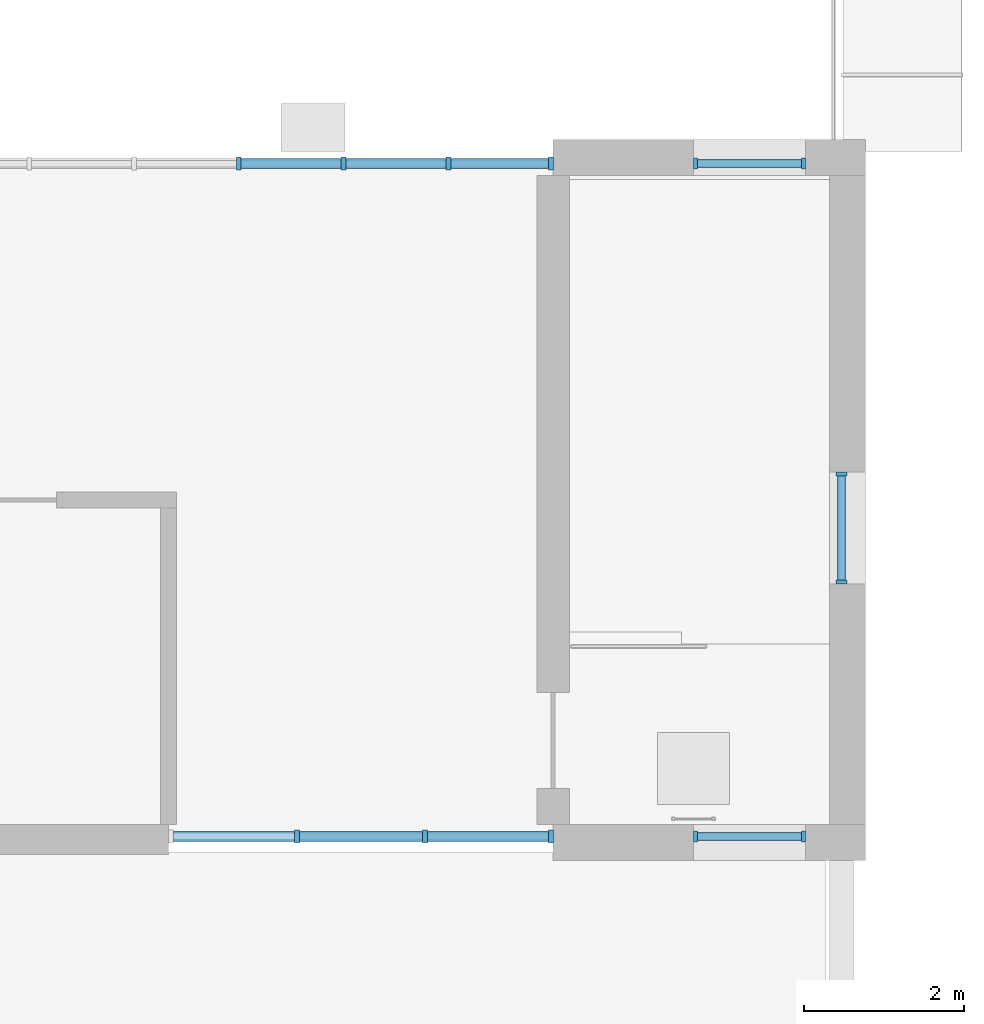
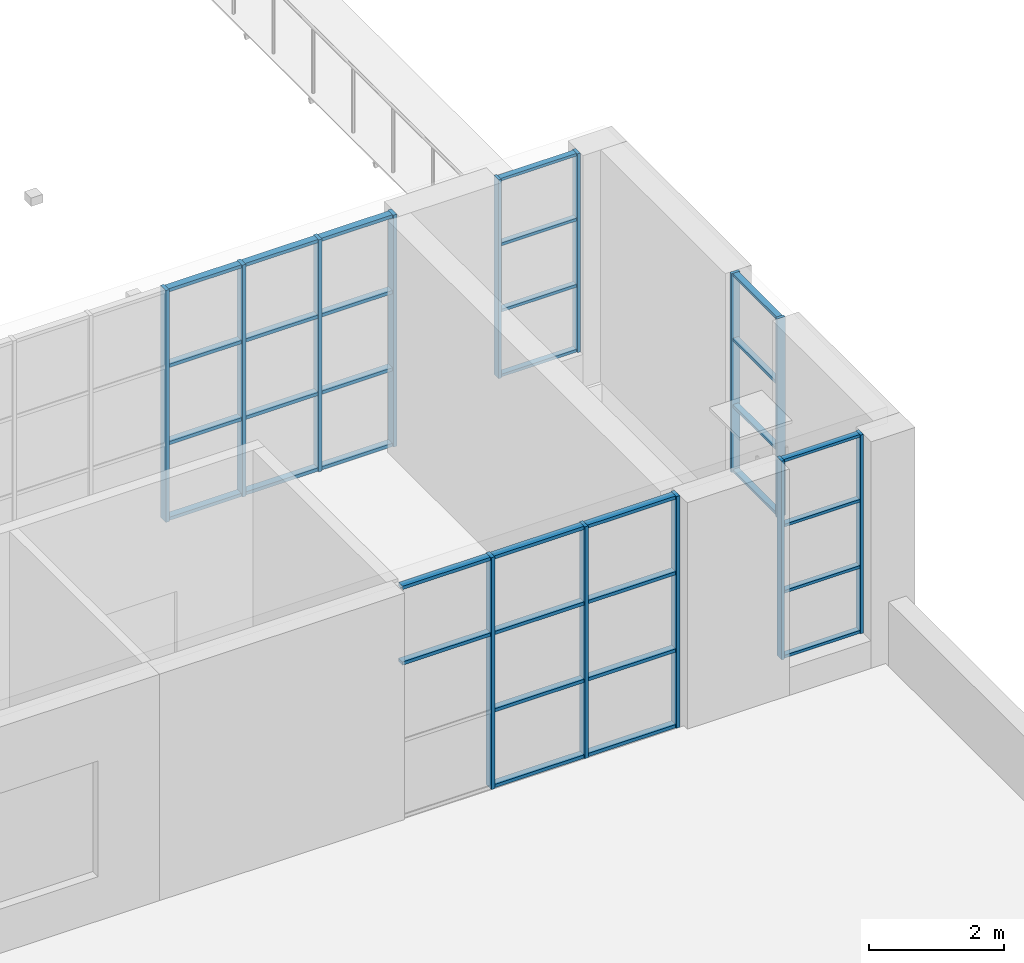
# One storey, part 23 of 66: 47 members, 5 elements without a shape of their own.
"""IFC4 building model written with IfcOpenShell, lengths in metres."""

from ifc_helpers import new_model, si_unit, direction, frame, origin, origin_2d, place, context, subcontext, project, spatial, rectangle, extrude, material, material_profile, profile_set, type_object, element, aggregate, save


model = new_model("IFC4")

# Units and contexts
model_context = context("Model", 3, precision=1e-05, world=origin(), true_north=direction((0.0, 1.0)))
body_context = subcontext(model_context, "Body", "Model", "MODEL_VIEW")
ifc_project = project(units=[si_unit("LENGTHUNIT", "METRE"), si_unit("AREAUNIT", "SQUARE_METRE"), si_unit("VOLUMEUNIT", "CUBIC_METRE"), si_unit("PLANEANGLEUNIT", "RADIAN"), si_unit("MASSUNIT", "GRAM", prefix="KILO")], contexts=[model_context])

# Site, building, storey
site_placement = place(None, origin())
site = spatial("IfcSite", under=ifc_project, at=site_placement, CompositionType="ELEMENT")
building_placement = place(site_placement, origin())
building = spatial("IfcBuilding", under=site, at=building_placement, Name="Yavir Park General Hospital", CompositionType="ELEMENT")
storey_placement = place(building_placement, frame((0.0, 0.0, 8.39990234375)))
storey = spatial("IfcBuildingStorey", under=building, at=storey_placement, Name="L02", CompositionType="ELEMENT", Elevation=8.39990234375)

# Curtain wall, members
ifc_material_1 = material(Name="Aluminium curtain wall frame with insulated glazing", Category="aluminium")
curtain_wall_type_1 = type_object("IfcCurtainWallType", Name="Helipad lobby glazing, 4200 high, 1400 module", PredefinedType="NOTDEFINED", material=ifc_material_1)
curtain_wall_1_placement = place(storey_placement, origin())
curtain_wall_1 = element("IfcCurtainWall", 1, at=curtain_wall_1_placement, inside=storey, type_object=curtain_wall_type_1, Name="CW7 L02-009", PredefinedType="NOTDEFINED")
ifc_material_2 = material(Name="Aluminium", Category="aluminium")
ifc_material_profile_1 = material_profile(ifc_material_2, rectangle(XDim=0.159912109375, YDim=0.06005859375, at=origin_2d()), Name="AL 60x160")
ifc_profile_set_1 = profile_set([ifc_material_profile_1], Name="Aluminium")
member_type_1 = type_object("IfcMemberType", Name="Helipad lobby glazing, 4200 high mullion 60 x 160", PredefinedType="MULLION", material=ifc_profile_set_1)
member_1_placement = place(storey_placement, frame((161.199951171875, 75.60009765625, 0.0), z_axis=(0.0, 0.0, 1.0), x_axis=(0.0, 1.0, 0.0)))
member_1 = element("IfcMember", 2, at=member_1_placement, type_object=member_type_1, Name="CW7 mullion 2", PredefinedType="MULLION", context=body_context, shape_type="SweptSolid", body=[
    extrude(rectangle(XDim=0.159912109375, YDim=0.06005859375, at=origin_2d()), origin(), (0.0, 0.0, 1.0), 4.2001953125),
])
member_2_placement = place(storey_placement, frame((162.800048828125, 75.60009765625, 0.0), z_axis=(0.0, 0.0, 1.0), x_axis=(0.0, 1.0, 0.0)))
member_2 = element("IfcMember", 3, at=member_2_placement, type_object=member_type_1, Name="CW7 mullion 3", PredefinedType="MULLION", context=body_context, shape_type="SweptSolid", body=[
    extrude(rectangle(XDim=0.159912109375, YDim=0.06005859375, at=origin_2d()), origin(), (0.0, 0.0, 1.0), 4.2001953125),
])
member_3_placement = place(storey_placement, frame((164.3701171875, 75.60009765625, 0.0), z_axis=(0.0, 0.0, 1.0), x_axis=(0.0, 1.0, 0.0)))
member_3 = element("IfcMember", 4, at=member_3_placement, type_object=member_type_1, Name="CW7 mullion 4", PredefinedType="MULLION", context=body_context, shape_type="SweptSolid", body=[
    extrude(rectangle(XDim=0.159912109375, YDim=0.06005859375, at=origin_2d()), origin(), (0.0, 0.0, 1.0), 4.2001953125),
])

curtain_wall_2_placement = place(storey_placement, origin())
curtain_wall_2 = element("IfcCurtainWall", 5, at=curtain_wall_2_placement, inside=storey, type_object=curtain_wall_type_1, Name="CW7 L02-012", PredefinedType="NOTDEFINED")
member_4_placement = place(storey_placement, frame((160.47509765625, 84.0, 0.0), z_axis=(0.0, 0.0, 1.0), x_axis=(0.0, 1.0, 0.0)))
member_4 = element("IfcMember", 6, at=member_4_placement, type_object=member_type_1, Name="CW7 mullion 4", PredefinedType="MULLION", context=body_context, shape_type="SweptSolid", body=[
    extrude(rectangle(XDim=0.159912109375, YDim=0.06005859375, at=origin_2d()), origin(), (0.0, 0.0, 1.0), 4.2001953125),
])
member_5_placement = place(storey_placement, frame((161.783447265625, 84.0, 0.0), z_axis=(0.0, 0.0, 1.0), x_axis=(0.0, 1.0, 0.0)))
member_5 = element("IfcMember", 7, at=member_5_placement, type_object=member_type_1, Name="CW7 mullion 5", PredefinedType="MULLION", context=body_context, shape_type="SweptSolid", body=[
    extrude(rectangle(XDim=0.159912109375, YDim=0.06005859375, at=origin_2d()), origin(), (0.0, 0.0, 1.0), 4.2001953125),
])
member_6_placement = place(storey_placement, frame((163.091552734375, 84.0, 0.0), z_axis=(0.0, 0.0, 1.0), x_axis=(0.0, 1.0, 0.0)))
member_6 = element("IfcMember", 8, at=member_6_placement, type_object=member_type_1, Name="CW7 mullion 6", PredefinedType="MULLION", context=body_context, shape_type="SweptSolid", body=[
    extrude(rectangle(XDim=0.159912109375, YDim=0.06005859375, at=origin_2d()), origin(), (0.0, 0.0, 1.0), 4.2001953125),
])
member_7_placement = place(storey_placement, frame((164.3701171875, 84.0, 0.0), z_axis=(0.0, 0.0, 1.0), x_axis=(0.0, 1.0, 0.0)))
member_7 = element("IfcMember", 9, at=member_7_placement, type_object=member_type_1, Name="CW7 mullion 7", PredefinedType="MULLION", context=body_context, shape_type="SweptSolid", body=[
    extrude(rectangle(XDim=0.159912109375, YDim=0.06005859375, at=origin_2d()), origin(), (0.0, 0.0, 1.0), 4.2001953125),
])

# Member
ifc_material_3 = material(Name="Aluminium", Category="aluminium")
ifc_material_profile_2 = material_profile(ifc_material_3, rectangle(XDim=0.1201171875, YDim=0.06005859375, at=origin_2d()), Name="AL 120x60")
ifc_profile_set_2 = profile_set([ifc_material_profile_2], Name="Aluminium")
member_type_2 = type_object("IfcMemberType", Name="Helipad lobby glazing, 4200 high transom 60 x 120", PredefinedType="MULLION", material=ifc_profile_set_2)
member_8_placement = place(storey_placement, frame((159.659912109375, 75.60009765625, 2.800048828125), z_axis=(1.0, 0.0, 0.0), x_axis=(0.0, 1.0, 0.0)))
member_8 = element("IfcMember", 10, at=member_8_placement, type_object=member_type_2, Name="CW7 transom 1.3", PredefinedType="MULLION", context=body_context, shape_type="SweptSolid", body=[
    extrude(rectangle(XDim=0.1201171875, YDim=0.06005859375, at=origin_2d()), origin(), (0.0, 0.0, 1.0), 1.510009765625),
])

member_9_placement = place(storey_placement, frame((159.659912109375, 75.60009765625, 4.170166015625), z_axis=(1.0, 0.0, 0.0), x_axis=(0.0, 1.0, 0.0)))
member_9 = element("IfcMember", 11, at=member_9_placement, type_object=member_type_2, Name="CW7 transom 1.4", PredefinedType="MULLION", context=body_context, shape_type="SweptSolid", body=[
    extrude(rectangle(XDim=0.1201171875, YDim=0.06005859375, at=origin_2d()), origin(), (0.0, 0.0, 1.0), 1.510009765625),
])

member_10_placement = place(storey_placement, frame((161.22998046875, 75.60009765625, 0.030029296875), z_axis=(1.0, 0.0, 0.0), x_axis=(0.0, 1.0, 0.0)))
member_10 = element("IfcMember", 12, at=member_10_placement, type_object=member_type_2, Name="CW7 transom 2.1", PredefinedType="MULLION", context=body_context, shape_type="SweptSolid", body=[
    extrude(rectangle(XDim=0.1201171875, YDim=0.06005859375, at=origin_2d()), origin(), (0.0, 0.0, 1.0), 1.5400390625),
])

member_11_placement = place(storey_placement, frame((161.22998046875, 75.60009765625, 1.400146484375), z_axis=(1.0, 0.0, 0.0), x_axis=(0.0, 1.0, 0.0)))
member_11 = element("IfcMember", 13, at=member_11_placement, type_object=member_type_2, Name="CW7 transom 2.2", PredefinedType="MULLION", context=body_context, shape_type="SweptSolid", body=[
    extrude(rectangle(XDim=0.1201171875, YDim=0.06005859375, at=origin_2d()), origin(), (0.0, 0.0, 1.0), 1.5400390625),
])

member_12_placement = place(storey_placement, frame((161.22998046875, 75.60009765625, 2.800048828125), z_axis=(1.0, 0.0, 0.0), x_axis=(0.0, 1.0, 0.0)))
member_12 = element("IfcMember", 14, at=member_12_placement, type_object=member_type_2, Name="CW7 transom 2.3", PredefinedType="MULLION", context=body_context, shape_type="SweptSolid", body=[
    extrude(rectangle(XDim=0.1201171875, YDim=0.06005859375, at=origin_2d()), origin(), (0.0, 0.0, 1.0), 1.5400390625),
])

member_13_placement = place(storey_placement, frame((161.22998046875, 75.60009765625, 4.170166015625), z_axis=(1.0, 0.0, 0.0), x_axis=(0.0, 1.0, 0.0)))
member_13 = element("IfcMember", 15, at=member_13_placement, type_object=member_type_2, Name="CW7 transom 2.4", PredefinedType="MULLION", context=body_context, shape_type="SweptSolid", body=[
    extrude(rectangle(XDim=0.1201171875, YDim=0.06005859375, at=origin_2d()), origin(), (0.0, 0.0, 1.0), 1.5400390625),
])

member_14_placement = place(storey_placement, frame((162.830078125, 75.60009765625, 0.030029296875), z_axis=(1.0, 0.0, 0.0), x_axis=(0.0, 1.0, 0.0)))
member_14 = element("IfcMember", 16, at=member_14_placement, type_object=member_type_2, Name="CW7 transom 3.1", PredefinedType="MULLION", context=body_context, shape_type="SweptSolid", body=[
    extrude(rectangle(XDim=0.1201171875, YDim=0.06005859375, at=origin_2d()), origin(), (0.0, 0.0, 1.0), 1.510009765625),
])

member_15_placement = place(storey_placement, frame((162.830078125, 75.60009765625, 1.400146484375), z_axis=(1.0, 0.0, 0.0), x_axis=(0.0, 1.0, 0.0)))
member_15 = element("IfcMember", 17, at=member_15_placement, type_object=member_type_2, Name="CW7 transom 3.2", PredefinedType="MULLION", context=body_context, shape_type="SweptSolid", body=[
    extrude(rectangle(XDim=0.1201171875, YDim=0.06005859375, at=origin_2d()), origin(), (0.0, 0.0, 1.0), 1.510009765625),
])

member_16_placement = place(storey_placement, frame((162.830078125, 75.60009765625, 2.800048828125), z_axis=(1.0, 0.0, 0.0), x_axis=(0.0, 1.0, 0.0)))
member_16 = element("IfcMember", 18, at=member_16_placement, type_object=member_type_2, Name="CW7 transom 3.3", PredefinedType="MULLION", context=body_context, shape_type="SweptSolid", body=[
    extrude(rectangle(XDim=0.1201171875, YDim=0.06005859375, at=origin_2d()), origin(), (0.0, 0.0, 1.0), 1.510009765625),
])

member_17_placement = place(storey_placement, frame((162.830078125, 75.60009765625, 4.170166015625), z_axis=(1.0, 0.0, 0.0), x_axis=(0.0, 1.0, 0.0)))
member_17 = element("IfcMember", 19, at=member_17_placement, type_object=member_type_2, Name="CW7 transom 3.4", PredefinedType="MULLION", context=body_context, shape_type="SweptSolid", body=[
    extrude(rectangle(XDim=0.1201171875, YDim=0.06005859375, at=origin_2d()), origin(), (0.0, 0.0, 1.0), 1.510009765625),
])

aggregate(curtain_wall_1, [member_1, member_2, member_3, member_8, member_9, member_10, member_11, member_12, member_13, member_14, member_15, member_16, member_17])

member_18_placement = place(storey_placement, frame((160.5048828125, 84.0, 0.030029296875), z_axis=(1.0, 0.0, 0.0), x_axis=(0.0, 1.0, 0.0)))
member_18 = element("IfcMember", 20, at=member_18_placement, type_object=member_type_2, Name="CW7 transom 4.1", PredefinedType="MULLION", context=body_context, shape_type="SweptSolid", body=[
    extrude(rectangle(XDim=0.1201171875, YDim=0.06005859375, at=origin_2d()), origin(), (0.0, 0.0, 1.0), 1.24853515625),
])

member_19_placement = place(storey_placement, frame((160.5048828125, 84.0, 1.400146484375), z_axis=(1.0, 0.0, 0.0), x_axis=(0.0, 1.0, 0.0)))
member_19 = element("IfcMember", 21, at=member_19_placement, type_object=member_type_2, Name="CW7 transom 4.2", PredefinedType="MULLION", context=body_context, shape_type="SweptSolid", body=[
    extrude(rectangle(XDim=0.1201171875, YDim=0.06005859375, at=origin_2d()), origin(), (0.0, 0.0, 1.0), 1.24853515625),
])

member_20_placement = place(storey_placement, frame((160.5048828125, 84.0, 2.800048828125), z_axis=(1.0, 0.0, 0.0), x_axis=(0.0, 1.0, 0.0)))
member_20 = element("IfcMember", 22, at=member_20_placement, type_object=member_type_2, Name="CW7 transom 4.3", PredefinedType="MULLION", context=body_context, shape_type="SweptSolid", body=[
    extrude(rectangle(XDim=0.1201171875, YDim=0.06005859375, at=origin_2d()), origin(), (0.0, 0.0, 1.0), 1.24853515625),
])

member_21_placement = place(storey_placement, frame((160.5048828125, 84.0, 4.170166015625), z_axis=(1.0, 0.0, 0.0), x_axis=(0.0, 1.0, 0.0)))
member_21 = element("IfcMember", 23, at=member_21_placement, type_object=member_type_2, Name="CW7 transom 4.4", PredefinedType="MULLION", context=body_context, shape_type="SweptSolid", body=[
    extrude(rectangle(XDim=0.1201171875, YDim=0.06005859375, at=origin_2d()), origin(), (0.0, 0.0, 1.0), 1.24853515625),
])

member_22_placement = place(storey_placement, frame((161.813232421875, 84.0, 0.030029296875), z_axis=(1.0, 0.0, 0.0), x_axis=(0.0, 1.0, 0.0)))
member_22 = element("IfcMember", 24, at=member_22_placement, type_object=member_type_2, Name="CW7 transom 5.1", PredefinedType="MULLION", context=body_context, shape_type="SweptSolid", body=[
    extrude(rectangle(XDim=0.1201171875, YDim=0.06005859375, at=origin_2d()), origin(), (0.0, 0.0, 1.0), 1.24853515625),
])

member_23_placement = place(storey_placement, frame((161.813232421875, 84.0, 1.400146484375), z_axis=(1.0, 0.0, 0.0), x_axis=(0.0, 1.0, 0.0)))
member_23 = element("IfcMember", 25, at=member_23_placement, type_object=member_type_2, Name="CW7 transom 5.2", PredefinedType="MULLION", context=body_context, shape_type="SweptSolid", body=[
    extrude(rectangle(XDim=0.1201171875, YDim=0.06005859375, at=origin_2d()), origin(), (0.0, 0.0, 1.0), 1.24853515625),
])

member_24_placement = place(storey_placement, frame((161.813232421875, 84.0, 2.800048828125), z_axis=(1.0, 0.0, 0.0), x_axis=(0.0, 1.0, 0.0)))
member_24 = element("IfcMember", 26, at=member_24_placement, type_object=member_type_2, Name="CW7 transom 5.3", PredefinedType="MULLION", context=body_context, shape_type="SweptSolid", body=[
    extrude(rectangle(XDim=0.1201171875, YDim=0.06005859375, at=origin_2d()), origin(), (0.0, 0.0, 1.0), 1.24853515625),
])

member_25_placement = place(storey_placement, frame((161.813232421875, 84.0, 4.170166015625), z_axis=(1.0, 0.0, 0.0), x_axis=(0.0, 1.0, 0.0)))
member_25 = element("IfcMember", 27, at=member_25_placement, type_object=member_type_2, Name="CW7 transom 5.4", PredefinedType="MULLION", context=body_context, shape_type="SweptSolid", body=[
    extrude(rectangle(XDim=0.1201171875, YDim=0.06005859375, at=origin_2d()), origin(), (0.0, 0.0, 1.0), 1.24853515625),
])

member_26_placement = place(storey_placement, frame((163.12158203125, 84.0, 0.030029296875), z_axis=(1.0, 0.0, 0.0), x_axis=(0.0, 1.0, 0.0)))
member_26 = element("IfcMember", 28, at=member_26_placement, type_object=member_type_2, Name="CW7 transom 6.1", PredefinedType="MULLION", context=body_context, shape_type="SweptSolid", body=[
    extrude(rectangle(XDim=0.1201171875, YDim=0.06005859375, at=origin_2d()), origin(), (0.0, 0.0, 1.0), 1.218505859375),
])

member_27_placement = place(storey_placement, frame((163.12158203125, 84.0, 1.400146484375), z_axis=(1.0, 0.0, 0.0), x_axis=(0.0, 1.0, 0.0)))
member_27 = element("IfcMember", 29, at=member_27_placement, type_object=member_type_2, Name="CW7 transom 6.2", PredefinedType="MULLION", context=body_context, shape_type="SweptSolid", body=[
    extrude(rectangle(XDim=0.1201171875, YDim=0.06005859375, at=origin_2d()), origin(), (0.0, 0.0, 1.0), 1.218505859375),
])

member_28_placement = place(storey_placement, frame((163.12158203125, 84.0, 2.800048828125), z_axis=(1.0, 0.0, 0.0), x_axis=(0.0, 1.0, 0.0)))
member_28 = element("IfcMember", 30, at=member_28_placement, type_object=member_type_2, Name="CW7 transom 6.3", PredefinedType="MULLION", context=body_context, shape_type="SweptSolid", body=[
    extrude(rectangle(XDim=0.1201171875, YDim=0.06005859375, at=origin_2d()), origin(), (0.0, 0.0, 1.0), 1.218505859375),
])

member_29_placement = place(storey_placement, frame((163.12158203125, 84.0, 4.170166015625), z_axis=(1.0, 0.0, 0.0), x_axis=(0.0, 1.0, 0.0)))
member_29 = element("IfcMember", 31, at=member_29_placement, type_object=member_type_2, Name="CW7 transom 6.4", PredefinedType="MULLION", context=body_context, shape_type="SweptSolid", body=[
    extrude(rectangle(XDim=0.1201171875, YDim=0.06005859375, at=origin_2d()), origin(), (0.0, 0.0, 1.0), 1.218505859375),
])

aggregate(curtain_wall_2, [member_4, member_5, member_6, member_7, member_18, member_19, member_20, member_21, member_22, member_23, member_24, member_25, member_26, member_27, member_28, member_29])

# Curtain wall, members
ifc_material_4 = material(Name="Aluminium curtain wall frame with insulated glazing", Category="aluminium")
curtain_wall_type_2 = type_object("IfcCurtainWallType", Name="Stair light slot, podium, 3600 high, 1400 module", PredefinedType="NOTDEFINED", material=ifc_material_4)
curtain_wall_3_placement = place(storey_placement, origin())
curtain_wall_3 = element("IfcCurtainWall", 32, at=curtain_wall_3_placement, inside=storey, type_object=curtain_wall_type_2, Name="CW57 L02-010", PredefinedType="NOTDEFINED")
ifc_material_5 = material(Name="Aluminium", Category="aluminium")
ifc_material_profile_3 = material_profile(ifc_material_5, rectangle(XDim=0.139892578125, YDim=0.050048828125, at=origin_2d()), Name="AL 50x140")
ifc_profile_set_3 = profile_set([ifc_material_profile_3], Name="Aluminium")
member_type_3 = type_object("IfcMemberType", Name="Stair light slot, podium, 3600 high mullion 50 x 140", PredefinedType="MULLION", material=ifc_profile_set_3)
member_30_placement = place(storey_placement, frame((166.175048828125, 75.60009765625, 0.60009765625), z_axis=(0.0, 0.0, 1.0), x_axis=(0.0, 1.0, 0.0)))
member_30 = element("IfcMember", 33, at=member_30_placement, type_object=member_type_3, Name="CW57 mullion 1", PredefinedType="MULLION", context=body_context, shape_type="SweptSolid", body=[
    extrude(rectangle(XDim=0.139892578125, YDim=0.050048828125, at=origin_2d()), origin(), (0.0, 0.0, 1.0), 3.60009765625),
])
member_31_placement = place(storey_placement, frame((167.52490234375, 75.60009765625, 0.60009765625), z_axis=(0.0, 0.0, 1.0), x_axis=(0.0, 1.0, 0.0)))
member_31 = element("IfcMember", 34, at=member_31_placement, type_object=member_type_3, Name="CW57 mullion 2", PredefinedType="MULLION", context=body_context, shape_type="SweptSolid", body=[
    extrude(rectangle(XDim=0.139892578125, YDim=0.050048828125, at=origin_2d()), origin(), (0.0, 0.0, 1.0), 3.60009765625),
])

curtain_wall_4_placement = place(storey_placement, origin())
curtain_wall_4 = element("IfcCurtainWall", 35, at=curtain_wall_4_placement, inside=storey, type_object=curtain_wall_type_2, Name="CW57 L02-013", PredefinedType="NOTDEFINED")
member_32_placement = place(storey_placement, frame((166.175048828125, 84.0, 0.60009765625), z_axis=(0.0, 0.0, 1.0), x_axis=(0.0, 1.0, 0.0)))
member_32 = element("IfcMember", 36, at=member_32_placement, type_object=member_type_3, Name="CW57 mullion 1", PredefinedType="MULLION", context=body_context, shape_type="SweptSolid", body=[
    extrude(rectangle(XDim=0.139892578125, YDim=0.050048828125, at=origin_2d()), origin(), (0.0, 0.0, 1.0), 3.60009765625),
])
member_33_placement = place(storey_placement, frame((167.52490234375, 84.0, 0.60009765625), z_axis=(0.0, 0.0, 1.0), x_axis=(0.0, 1.0, 0.0)))
member_33 = element("IfcMember", 37, at=member_33_placement, type_object=member_type_3, Name="CW57 mullion 2", PredefinedType="MULLION", context=body_context, shape_type="SweptSolid", body=[
    extrude(rectangle(XDim=0.139892578125, YDim=0.050048828125, at=origin_2d()), origin(), (0.0, 0.0, 1.0), 3.60009765625),
])

curtain_wall_5_placement = place(storey_placement, origin())
curtain_wall_5 = element("IfcCurtainWall", 38, at=curtain_wall_5_placement, inside=storey, type_object=curtain_wall_type_2, Name="CW57 L02-026", PredefinedType="NOTDEFINED")
member_34_placement = place(storey_placement, frame((168.0, 78.77490234375, 0.60009765625), z_axis=(0.0, 0.0, 1.0), x_axis=(-1.0, 0.0, 0.0)))
member_34 = element("IfcMember", 39, at=member_34_placement, type_object=member_type_3, Name="CW57 mullion 1", PredefinedType="MULLION", context=body_context, shape_type="SweptSolid", body=[
    extrude(rectangle(XDim=0.139892578125, YDim=0.050048828125, at=origin_2d()), origin(), (0.0, 0.0, 1.0), 3.60009765625),
])
member_35_placement = place(storey_placement, frame((168.0, 80.125, 0.60009765625), z_axis=(0.0, 0.0, 1.0), x_axis=(-1.0, 0.0, 0.0)))
member_35 = element("IfcMember", 40, at=member_35_placement, type_object=member_type_3, Name="CW57 mullion 2", PredefinedType="MULLION", context=body_context, shape_type="SweptSolid", body=[
    extrude(rectangle(XDim=0.139892578125, YDim=0.050048828125, at=origin_2d()), origin(), (0.0, 0.0, 1.0), 3.60009765625),
])

# Member
ifc_material_6 = material(Name="Aluminium", Category="aluminium")
ifc_material_profile_4 = material_profile(ifc_material_6, rectangle(XDim=0.10009765625, YDim=0.050048828125, at=origin_2d()), Name="AL 100x50")
ifc_profile_set_4 = profile_set([ifc_material_profile_4], Name="Aluminium")
member_type_4 = type_object("IfcMemberType", Name="Stair light slot, podium, 3600 high transom 50 x 100", PredefinedType="MULLION", material=ifc_profile_set_4)
member_36_placement = place(storey_placement, frame((166.199951171875, 75.60009765625, 0.625), z_axis=(1.0, 0.0, 0.0), x_axis=(0.0, 1.0, 0.0)))
member_36 = element("IfcMember", 41, at=member_36_placement, type_object=member_type_4, Name="CW57 transom 1.1", PredefinedType="MULLION", context=body_context, shape_type="SweptSolid", body=[
    extrude(rectangle(XDim=0.10009765625, YDim=0.050048828125, at=origin_2d()), origin(), (0.0, 0.0, 1.0), 1.300048828125),
])

member_37_placement = place(storey_placement, frame((166.199951171875, 75.60009765625, 1.800048828125), z_axis=(1.0, 0.0, 0.0), x_axis=(0.0, 1.0, 0.0)))
member_37 = element("IfcMember", 42, at=member_37_placement, type_object=member_type_4, Name="CW57 transom 1.2", PredefinedType="MULLION", context=body_context, shape_type="SweptSolid", body=[
    extrude(rectangle(XDim=0.10009765625, YDim=0.050048828125, at=origin_2d()), origin(), (0.0, 0.0, 1.0), 1.300048828125),
])

member_38_placement = place(storey_placement, frame((166.199951171875, 75.60009765625, 3.0), z_axis=(1.0, 0.0, 0.0), x_axis=(0.0, 1.0, 0.0)))
member_38 = element("IfcMember", 43, at=member_38_placement, type_object=member_type_4, Name="CW57 transom 1.3", PredefinedType="MULLION", context=body_context, shape_type="SweptSolid", body=[
    extrude(rectangle(XDim=0.10009765625, YDim=0.050048828125, at=origin_2d()), origin(), (0.0, 0.0, 1.0), 1.300048828125),
])

member_39_placement = place(storey_placement, frame((166.199951171875, 75.60009765625, 4.175048828125), z_axis=(1.0, 0.0, 0.0), x_axis=(0.0, 1.0, 0.0)))
member_39 = element("IfcMember", 44, at=member_39_placement, type_object=member_type_4, Name="CW57 transom 1.4", PredefinedType="MULLION", context=body_context, shape_type="SweptSolid", body=[
    extrude(rectangle(XDim=0.10009765625, YDim=0.050048828125, at=origin_2d()), origin(), (0.0, 0.0, 1.0), 1.300048828125),
])

aggregate(curtain_wall_3, [member_30, member_31, member_36, member_37, member_38, member_39])

member_40_placement = place(storey_placement, frame((166.199951171875, 84.0, 0.625), z_axis=(1.0, 0.0, 0.0), x_axis=(0.0, 1.0, 0.0)))
member_40 = element("IfcMember", 45, at=member_40_placement, type_object=member_type_4, Name="CW57 transom 1.1", PredefinedType="MULLION", context=body_context, shape_type="SweptSolid", body=[
    extrude(rectangle(XDim=0.10009765625, YDim=0.050048828125, at=origin_2d()), origin(), (0.0, 0.0, 1.0), 1.300048828125),
])

member_41_placement = place(storey_placement, frame((166.199951171875, 84.0, 1.800048828125), z_axis=(1.0, 0.0, 0.0), x_axis=(0.0, 1.0, 0.0)))
member_41 = element("IfcMember", 46, at=member_41_placement, type_object=member_type_4, Name="CW57 transom 1.2", PredefinedType="MULLION", context=body_context, shape_type="SweptSolid", body=[
    extrude(rectangle(XDim=0.10009765625, YDim=0.050048828125, at=origin_2d()), origin(), (0.0, 0.0, 1.0), 1.300048828125),
])

member_42_placement = place(storey_placement, frame((166.199951171875, 84.0, 3.0), z_axis=(1.0, 0.0, 0.0), x_axis=(0.0, 1.0, 0.0)))
member_42 = element("IfcMember", 47, at=member_42_placement, type_object=member_type_4, Name="CW57 transom 1.3", PredefinedType="MULLION", context=body_context, shape_type="SweptSolid", body=[
    extrude(rectangle(XDim=0.10009765625, YDim=0.050048828125, at=origin_2d()), origin(), (0.0, 0.0, 1.0), 1.300048828125),
])

member_43_placement = place(storey_placement, frame((166.199951171875, 84.0, 4.175048828125), z_axis=(1.0, 0.0, 0.0), x_axis=(0.0, 1.0, 0.0)))
member_43 = element("IfcMember", 48, at=member_43_placement, type_object=member_type_4, Name="CW57 transom 1.4", PredefinedType="MULLION", context=body_context, shape_type="SweptSolid", body=[
    extrude(rectangle(XDim=0.10009765625, YDim=0.050048828125, at=origin_2d()), origin(), (0.0, 0.0, 1.0), 1.300048828125),
])

aggregate(curtain_wall_4, [member_32, member_33, member_40, member_41, member_42, member_43])

member_44_placement = place(storey_placement, frame((168.0, 78.800048828125, 0.625), z_axis=(0.0, 1.0, 0.0), x_axis=(-1.0, 0.0, 0.0)))
member_44 = element("IfcMember", 49, at=member_44_placement, type_object=member_type_4, Name="CW57 transom 1.1", PredefinedType="MULLION", context=body_context, shape_type="SweptSolid", body=[
    extrude(rectangle(XDim=0.10009765625, YDim=0.050048828125, at=origin_2d()), origin(), (0.0, 0.0, 1.0), 1.300048828125),
])

member_45_placement = place(storey_placement, frame((168.0, 78.800048828125, 1.800048828125), z_axis=(0.0, 1.0, 0.0), x_axis=(-1.0, 0.0, 0.0)))
member_45 = element("IfcMember", 50, at=member_45_placement, type_object=member_type_4, Name="CW57 transom 1.2", PredefinedType="MULLION", context=body_context, shape_type="SweptSolid", body=[
    extrude(rectangle(XDim=0.10009765625, YDim=0.050048828125, at=origin_2d()), origin(), (0.0, 0.0, 1.0), 1.300048828125),
])

member_46_placement = place(storey_placement, frame((168.0, 78.800048828125, 3.0), z_axis=(0.0, 1.0, 0.0), x_axis=(-1.0, 0.0, 0.0)))
member_46 = element("IfcMember", 51, at=member_46_placement, type_object=member_type_4, Name="CW57 transom 1.3", PredefinedType="MULLION", context=body_context, shape_type="SweptSolid", body=[
    extrude(rectangle(XDim=0.10009765625, YDim=0.050048828125, at=origin_2d()), origin(), (0.0, 0.0, 1.0), 1.300048828125),
])

member_47_placement = place(storey_placement, frame((168.0, 78.800048828125, 4.175048828125), z_axis=(0.0, 1.0, 0.0), x_axis=(-1.0, 0.0, 0.0)))
member_47 = element("IfcMember", 52, at=member_47_placement, type_object=member_type_4, Name="CW57 transom 1.4", PredefinedType="MULLION", context=body_context, shape_type="SweptSolid", body=[
    extrude(rectangle(XDim=0.10009765625, YDim=0.050048828125, at=origin_2d()), origin(), (0.0, 0.0, 1.0), 1.300048828125),
])

aggregate(curtain_wall_5, [member_34, member_35, member_44, member_45, member_46, member_47])

save(model, "model.ifc")
